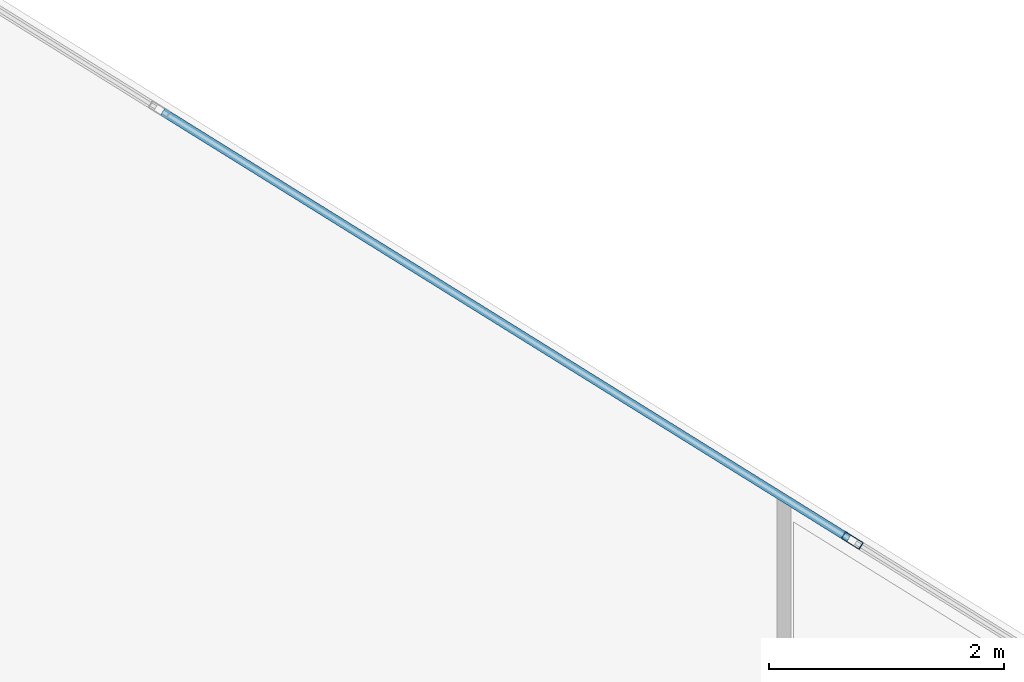
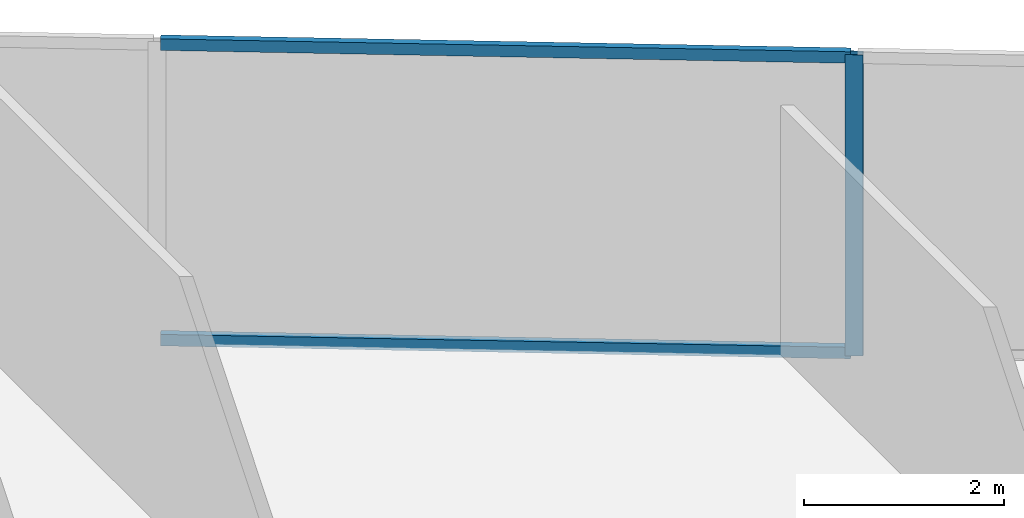
# One storey, part 19 of 26: 3 members, 1 element without a shape of its own.
"""IFC4 building model written with IfcOpenShell, lengths in metres."""

from ifc_helpers import new_model, si_unit, direction, frame, origin, origin_2d, place, context, subcontext, project, spatial, hollow_rectangle, extrude, source, transform, mapped, material, material_profile, profile_set, type_object, type_shapes, element, aggregate, save


model = new_model("IFC4")

# Units and contexts
model_context = context("Model", 3, precision=1e-05, world=origin(), true_north=direction((0.0, 1.0)))
body_context = subcontext(model_context, "Body", "Model", "MODEL_VIEW")
ifc_project = project(units=[si_unit("LENGTHUNIT", "METRE"), si_unit("AREAUNIT", "SQUARE_METRE"), si_unit("VOLUMEUNIT", "CUBIC_METRE"), si_unit("PLANEANGLEUNIT", "RADIAN"), si_unit("MASSUNIT", "GRAM", prefix="KILO")], contexts=[model_context])

# Site, building, storey
site_placement = place(None, origin())
site = spatial("IfcSite", under=ifc_project, at=site_placement, CompositionType="ELEMENT")
building_placement = place(site_placement, origin())
building = spatial("IfcBuilding", under=site, at=building_placement, Name="Krantzveldt Concourse Tower", CompositionType="ELEMENT")
storey_placement = place(building_placement, frame((0.0, 0.0, 173.85009765625)))
storey = spatial("IfcBuildingStorey", under=building, at=storey_placement, Name="L42", CompositionType="ELEMENT", Elevation=173.85009765625)

# Curtain wall, members
ifc_material = material(Name="Anodised aluminium 6063-T6", Category="aluminium")
curtain_wall_type = type_object("IfcCurtainWallType", Name="CW3", PredefinedType="USERDEFINED", material=ifc_material)
curtain_wall_placement = place(storey_placement, origin())
curtain_wall = element("IfcCurtainWall", 1, at=curtain_wall_placement, inside=storey, type_object=curtain_wall_type, Name="CW-L42-F10", ObjectType="UNITISED CURTAIN WALL", PredefinedType="USERDEFINED")
ifc_material_profile_1 = material_profile(ifc_material, hollow_rectangle(XDim=0.070068359375, YDim=0.179931640625, WallThickness=0.0048828125, at=origin_2d()), Name="Anodised aluminium 6063-T6", Category="aluminium")
ifc_profile_set_1 = profile_set([ifc_material_profile_1], Name="Anodised aluminium 6063-T6 - ALU-MULL 180x70x5")
member_type_1 = type_object("IfcMemberType", Name="CW-MUL-180", PredefinedType="MULLION", material=ifc_profile_set_1)
shared_shape_1 = source(origin(), body_context, "Body", "SweptSolid", [
    extrude(hollow_rectangle(XDim=0.070068359375, YDim=0.179931640625, WallThickness=0.0048828125, at=origin_2d()), origin(), (0.0, 0.0, 1.0), 3.669921875),
])
type_shapes(member_type_1, [shared_shape_1])
member_1_placement = place(storey_placement, frame((44.56201171875, 47.058837890625, 0.0), z_axis=(0.0, 0.0, 1.0), x_axis=(-0.528067901977, -0.84920214961, 0.0)))
member_1 = element("IfcMember", 2, at=member_1_placement, type_object=member_type_1, Name="CW-Z34 mullion 4", PredefinedType="MULLION", context=body_context, shape_type="MappedRepresentation", body=[
    mapped(shared_shape_1, transform((0.0, 0.0, 0.0), x_axis=(1.0, 0.0, 0.0), y_axis=(0.0, 1.0, 0.0), z_axis=(0.0, 0.0, 1.0), scale=1.0)),
])
ifc_material_profile_2 = material_profile(ifc_material, hollow_rectangle(XDim=0.070068359375, YDim=0.139892578125, WallThickness=0.0048828125, at=origin_2d()), Name="Anodised aluminium 6063-T6", Category="aluminium")
ifc_profile_set_2 = profile_set([ifc_material_profile_2], Name="Anodised aluminium 6063-T6 - ALU-TRAN 140x70x5")
member_type_2 = type_object("IfcMemberType", Name="CW-TRN-150", PredefinedType="USERDEFINED", material=ifc_profile_set_2)
shared_shape_2 = source(origin(), body_context, "Body", "SweptSolid", [
    extrude(hollow_rectangle(XDim=0.070068359375, YDim=0.139892578125, WallThickness=0.0048828125, at=origin_2d()), origin(), (0.0, 0.0, 1.0), 6.89013671875),
])
type_shapes(member_type_2, [shared_shape_2])
member_2_placement = place(storey_placement, frame((44.5322265625, 47.0771484375, 0.034912109375), z_axis=(-0.849202443437, 0.528067429464, 0.0), x_axis=(-0.528067429464, -0.849202443437, 0.0)))
member_2 = element("IfcMember", 3, at=member_2_placement, type_object=member_type_2, Name="CW-Z34 transom 4.1", ObjectType="TRANSOM", PredefinedType="USERDEFINED", context=body_context, shape_type="MappedRepresentation", body=[
    mapped(shared_shape_2, transform((0.0, 0.0, 0.0), x_axis=(1.0, 0.0, 0.0), y_axis=(0.0, 1.0, 0.0), z_axis=(0.0, 0.0, 1.0), scale=1.0)),
])
member_3_placement = place(storey_placement, frame((44.5322265625, 47.0771484375, 3.635009765625), z_axis=(-0.849202443437, 0.528067429464, 0.0), x_axis=(-0.528067429464, -0.849202443437, 0.0)))
member_3 = element("IfcMember", 4, at=member_3_placement, type_object=member_type_2, Name="CW-Z34 transom 4.2", ObjectType="TRANSOM", PredefinedType="USERDEFINED", context=body_context, shape_type="MappedRepresentation", body=[
    mapped(shared_shape_2, transform((0.0, 0.0, 0.0), x_axis=(1.0, 0.0, 0.0), y_axis=(0.0, 1.0, 0.0), z_axis=(0.0, 0.0, 1.0), scale=1.0)),
])
aggregate(curtain_wall, [member_1, member_2, member_3])

save(model, "model.ifc")
